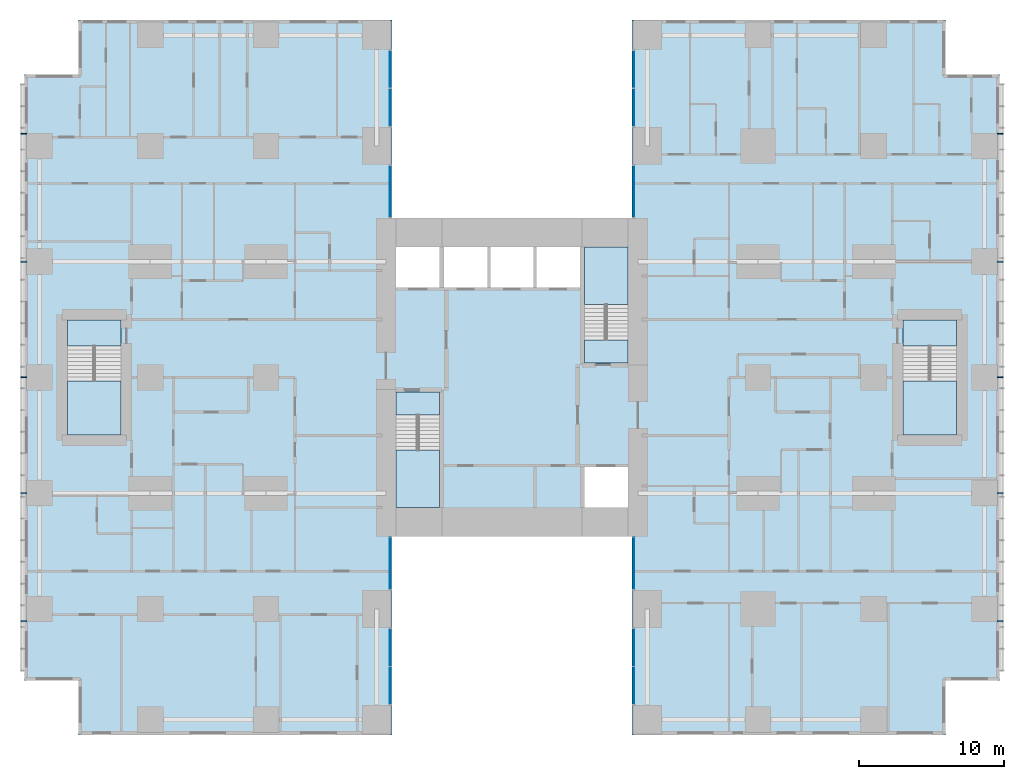
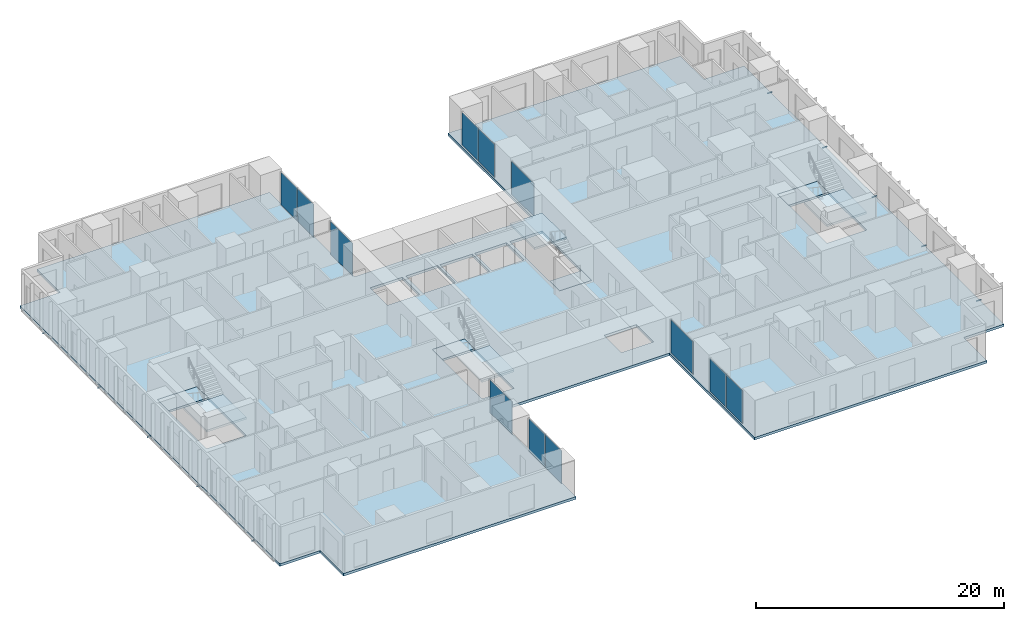
# One storey, part 7 of 20: 12 plates, 10 members, 9 slabs, 12 elements without a shape of their own.
"""IFC4 building model written with IfcOpenShell, lengths in metres."""

import ifcopenshell
import ifcopenshell.guid

model = None  # the IFC model being written
_history = None  # IfcOwnerHistory: only IFC2X3 demands one
_inside = {}  # id of a spatial element -> (the spatial element, [elements in it])
_under = {}  # id of a project, library or spatial element -> (it, [spatial elements below it])
_declared = {}  # id of a project -> (the project, [libraries it declares])
_typed = {}  # id of a type object -> (the type object, [elements of that type])
_made_of = {}  # id of a material, layer set ... -> (it, [elements and type objects made of it])


def new_model(schema):
    """Start an empty IFC model of exactly this schema.

    Asked for "IFC4X3", IfcOpenShell would pick the latest addendum, in which some entities
    have other attributes; the version numbers below select the first issue.
    IFC2X3 requires an IfcOwnerHistory on every rooted entity: one is made here for all.
    """
    global model, _history
    if schema == "IFC4X3":
        model = ifcopenshell.file(schema_version=(4, 3, 0, 0))
    else:
        model = ifcopenshell.file(schema=schema)
    _inside.clear()
    _under.clear()
    _declared.clear()
    _typed.clear()
    _made_of.clear()
    _history = None
    if model.schema == "IFC2X3":
        org = make("IfcOrganization", Name="unknown")
        user = make(
            "IfcPersonAndOrganization",
            ThePerson=make("IfcPerson", FamilyName="unknown"),
            TheOrganization=org,
        )
        app = make(
            "IfcApplication",
            ApplicationDeveloper=org,
            Version="unknown",
            ApplicationFullName="unknown",
            ApplicationIdentifier="unknown",
        )
        _history = make(
            "IfcOwnerHistory",
            OwningUser=user,
            OwningApplication=app,
            ChangeAction="ADDED",
            CreationDate=0,
        )
    return model


def make(cls, **values):
    """One entity of the class cls with the attributes given. An attribute that is None is left unset."""
    return model.create_entity(
        cls, **{name: value for name, value in values.items() if value is not None}
    )


def rooted(cls, **values):
    """An entity with a GlobalId (a new one), such as an element, a storey or a relation."""
    return make(cls, GlobalId=ifcopenshell.guid.new(), OwnerHistory=_history, **values)


def si_unit(unit_type, name, prefix=None):
    """IfcSIUnit, for example si_unit("LENGTHUNIT", "METRE", prefix="MILLI")."""
    return make("IfcSIUnit", UnitType=unit_type, Prefix=prefix, Name=name)


def assignment(units):
    """IfcUnitAssignment: the units of a project."""
    return None if units is None else make("IfcUnitAssignment", Units=units)


def point(xyz):
    """IfcCartesianPoint."""
    return None if xyz is None else make("IfcCartesianPoint", Coordinates=xyz)


def direction(xyz):
    """IfcDirection."""
    return None if xyz is None else make("IfcDirection", DirectionRatios=xyz)


def frame(location, z_axis=None, x_axis=None):
    """IfcAxis2Placement3D, a coordinate frame: its origin and axes. An axis left out is left unset."""
    return make(
        "IfcAxis2Placement3D",
        Location=point(location),
        Axis=direction(z_axis),
        RefDirection=direction(x_axis),
    )


def frame_2d(location, x_axis=None):
    """IfcAxis2Placement2D, a coordinate frame in the plane: its origin and x axis."""
    return make(
        "IfcAxis2Placement2D", Location=point(location), RefDirection=direction(x_axis)
    )


def origin():
    """The frame at (0, 0, 0) with its axes left unset."""
    return frame((0.0, 0.0, 0.0))


def origin_2d():
    """The frame at (0, 0) in the plane with its x axis left unset."""
    return frame_2d((0.0, 0.0))


def place(relative_to, where):
    """IfcLocalPlacement: puts the frame where relative to a parent placement (None: the world)."""
    return make(
        "IfcLocalPlacement", PlacementRelTo=relative_to, RelativePlacement=where
    )


def context(
    kind, dimensions, precision=None, world=None, true_north=None, identifier=None
):
    """IfcGeometricRepresentationContext, for example the 3D "Model" context."""
    return make(
        "IfcGeometricRepresentationContext",
        ContextIdentifier=identifier,
        ContextType=kind,
        CoordinateSpaceDimension=dimensions,
        Precision=precision,
        WorldCoordinateSystem=world,
        TrueNorth=true_north,
    )


def subcontext(parent, identifier, kind, view, scale=None):
    """IfcGeometricRepresentationSubContext, for example "Body" below "Model"."""
    return make(
        "IfcGeometricRepresentationSubContext",
        ContextIdentifier=identifier,
        ContextType=kind,
        ParentContext=parent,
        TargetScale=scale,
        TargetView=view,
    )


def project(units=None, contexts=None):
    """IfcProject with its units and contexts."""
    return rooted(
        "IfcProject",
        Name="project",
        RepresentationContexts=contexts,
        UnitsInContext=assignment(units),
    )


def spatial(cls, under=None, at=None, **own):
    """A site, building, storey or space (cls), placed at a placement, below another one or the project."""
    s = rooted(cls, ObjectPlacement=at, **own)
    if under is not None:
        _under.setdefault(under.id(), (under, []))[1].append(s)
    return s


def polyline(points):
    """IfcPolyline through the points."""
    return make("IfcPolyline", Points=[point(p) for p in points])


def profile(cls, at=None, kind="AREA", **sizes):
    """A parametric profile (cls). Its sizes go by their IFC names, for example OverallWidth=200.0."""
    return make(cls, ProfileType=kind, Position=at, **sizes)


def rectangle(**sizes):
    """IfcRectangleProfileDef."""
    return profile("IfcRectangleProfileDef", **sizes)


def hollow_rectangle(**sizes):
    """IfcRectangleHollowProfileDef."""
    return profile("IfcRectangleHollowProfileDef", **sizes)


def outline(outer, holes=None, kind="AREA"):
    """IfcArbitraryClosedProfileDef: a profile drawn as a closed curve; with holes, ...WithVoids."""
    if holes is None:
        return make("IfcArbitraryClosedProfileDef", ProfileType=kind, OuterCurve=outer)
    return make(
        "IfcArbitraryProfileDefWithVoids",
        ProfileType=kind,
        OuterCurve=outer,
        InnerCurves=holes,
    )


def extrude(swept, where, along, depth):
    """IfcExtrudedAreaSolid: the profile swept, set in the frame where, extruded along a direction by depth."""
    return make(
        "IfcExtrudedAreaSolid",
        SweptArea=swept,
        Position=where,
        ExtrudedDirection=direction(along),
        Depth=depth,
    )


def shape(context_of_items, identifier, shape_type, items):
    """IfcShapeRepresentation: the items that make up one representation, for example the "Body"."""
    return make(
        "IfcShapeRepresentation",
        ContextOfItems=context_of_items,
        RepresentationIdentifier=identifier,
        RepresentationType=shape_type,
        Items=items,
    )


def material(Name=None, Category=None):
    """IfcMaterial."""
    return make("IfcMaterial", Name=Name, Category=Category)


def layer(
    of_material, thickness, ventilated=None, Name=None, Category=None, Priority=None
):
    """IfcMaterialLayer: one layer of a wall or slab, of a material (None: an air gap)."""
    return make(
        "IfcMaterialLayer",
        Material=of_material,
        LayerThickness=thickness,
        IsVentilated=ventilated,
        Name=Name,
        Category=Category,
        Priority=Priority,
    )


def layer_set(layers, Name=None):
    """IfcMaterialLayerSet."""
    return make("IfcMaterialLayerSet", MaterialLayers=layers, LayerSetName=Name)


def material_profile(
    of_material, cross_section, Name=None, Category=None, Priority=None
):
    """IfcMaterialProfile: a cross section and its material."""
    return make(
        "IfcMaterialProfile",
        Name=Name,
        Material=of_material,
        Profile=cross_section,
        Priority=Priority,
        Category=Category,
    )


def profile_set(profiles, Name=None, composite=None):
    """IfcMaterialProfileSet."""
    return make(
        "IfcMaterialProfileSet",
        Name=Name,
        MaterialProfiles=profiles,
        CompositeProfile=composite,
    )


def made_of(thing, what):
    """Note that an element or type object is made of a material, layer set ...; save() writes the relation."""
    if what is not None:
        _made_of.setdefault(what.id(), (what, []))[1].append(thing)
    return thing


def type_object(cls, material=None, **own):
    """A type object (cls), such as IfcWallType, which elements share."""
    return made_of(rooted(cls, **own), material)


def element(
    cls,
    number,
    at=None,
    inside=None,
    cuts=None,
    type_object=None,
    material=None,
    context=None,
    identifier="Body",
    shape_type=None,
    held_by="IfcProductDefinitionShape",
    body=None,
    shapes=None,
    **own,
):
    """One element of the class cls, such as IfcWall. Its Tag is "e" and its number.

    at: its placement. inside: the storey or other place that contains it. cuts: it is an
    opening in that element (IfcRelVoidsElement). A single representation is given by context,
    identifier, shape_type and body (its items); several are given by shapes. held_by: the class
    of the entity that holds the representations. save() writes the other relations.
    """
    e = rooted(cls, Tag="e%d" % number, ObjectPlacement=at, **own)
    if body is not None:
        shapes = [shape(context, identifier, shape_type, body)]
    if shapes is not None:
        e.Representation = make(held_by, Representations=shapes)
    if inside is not None:
        _inside.setdefault(inside.id(), (inside, []))[1].append(e)
    if cuts is not None:
        rooted(
            "IfcRelVoidsElement", RelatingBuildingElement=cuts, RelatedOpeningElement=e
        )
    if type_object is not None:
        _typed.setdefault(type_object.id(), (type_object, []))[1].append(e)
    return made_of(e, material)


def aggregate(whole, parts):
    """IfcRelAggregates: a whole, such as a stair, and the parts it consists of."""
    return rooted("IfcRelAggregates", RelatingObject=whole, RelatedObjects=parts)


def save(model, path):
    """Write the relations noted so far, then the file.

    IfcRelAggregates (storeys below a building ...), IfcRelContainedInSpatialStructure (elements
    in a storey), IfcRelDefinesByType, IfcRelAssociatesMaterial and IfcRelDeclares: one each for
    every whole, place, type object, material and project.
    """
    for whole, parts in _under.values():
        aggregate(whole, parts)
    for where, things in _inside.values():
        rooted(
            "IfcRelContainedInSpatialStructure",
            RelatedElements=things,
            RelatingStructure=where,
        )
    for kind, things in _typed.values():
        rooted("IfcRelDefinesByType", RelatedObjects=things, RelatingType=kind)
    for what, things in _made_of.values():
        rooted("IfcRelAssociatesMaterial", RelatedObjects=things, RelatingMaterial=what)
    for by, libraries in _declared.values():
        rooted("IfcRelDeclares", RelatingContext=by, RelatedDefinitions=libraries)
    model.write(path)


model = new_model("IFC4")

# Units and contexts
model_context = context("Model", 3, precision=1e-05, world=origin(), true_north=direction((0.0, 1.0)))
body_context = subcontext(model_context, "Body", "Model", "MODEL_VIEW")
ifc_project = project(units=[si_unit("LENGTHUNIT", "METRE"), si_unit("AREAUNIT", "SQUARE_METRE"), si_unit("VOLUMEUNIT", "CUBIC_METRE"), si_unit("PLANEANGLEUNIT", "RADIAN"), si_unit("MASSUNIT", "GRAM", prefix="KILO")], contexts=[model_context])

# Site, building, storey
site_placement = place(None, origin())
site = spatial("IfcSite", under=ifc_project, at=site_placement, CompositionType="ELEMENT")
building_placement = place(site_placement, origin())
building = spatial("IfcBuilding", under=site, at=building_placement, Name="Cleftline Residences", CompositionType="ELEMENT")
storey_placement = place(building_placement, frame((0.0, 0.0, 196.60009765625)))
storey = spatial("IfcBuildingStorey", under=building, at=storey_placement, Name="L51", CompositionType="ELEMENT", Elevation=196.60009765625)

# Members
ifc_material_1 = material(Name="Steel S355, hot-dip galvanised", Category="steel")
ifc_material_profile = material_profile(ifc_material_1, hollow_rectangle(XDim=0.10009765625, YDim=0.10009765625, WallThickness=0.008056640625, InnerFilletRadius=0.008056640625, OuterFilletRadius=0.011962890625, at=origin_2d()))
ifc_profile_set = profile_set([ifc_material_profile], Name="Steel S355, hot-dip galvanised")
member_type = type_object("IfcMemberType", Name="BAGUETTE BRACKET SHS 100X100X8", PredefinedType="USERDEFINED", material=ifc_profile_set)
for number, where, z_axis, x_axis, name in (
    (1, (66.5, 7.14990234375, -0.150146484375), (1.0, 0.0, 0.0), (0.0, 1.0, 0.0), "Baguette bracket"),
    (2, (66.5, 16.0, -0.150146484375), (1.0, 0.0, 0.0), (0.0, 1.0, 0.0), "Baguette bracket"),
    (3, (66.5, 24.0, -0.150146484375), (1.0, 0.0, 0.0), (0.0, 1.0, 0.0), "Baguette bracket"),
    (4, (66.5, 32.0, -0.150146484375), (1.0, 0.0, 0.0), (0.0, 1.0, 0.0), "Baguette bracket"),
    (5, (66.5, 40.85009765625, -0.150146484375), (1.0, 0.0, 0.0), (0.0, 1.0, 0.0), "Baguette bracket"),
    (6, (-0.5, 40.85009765625, -0.150146484375), (-1.0, 0.0, 0.0), (0.0, -1.0, 0.0), "Baguette bracket"),
    (7, (-0.5, 32.0, -0.150146484375), (-1.0, 0.0, 0.0), (0.0, -1.0, 0.0), "Baguette bracket"),
    (8, (-0.5, 24.0, -0.150146484375), (-1.0, 0.0, 0.0), (0.0, -1.0, 0.0), "Baguette bracket"),
    (9, (-0.5, 16.0, -0.150146484375), (-1.0, 0.0, 0.0), (0.0, -1.0, 0.0), "Baguette bracket"),
    (10, (-0.5, 7.14990234375, -0.150146484375), (-1.0, 0.0, 0.0), (0.0, -1.0, 0.0), "Baguette bracket"),
):
    element("IfcMember", number, at=place(storey_placement, frame(where, z_axis=z_axis, x_axis=x_axis)), inside=storey, type_object=member_type, Name=name, ObjectType="BAGUETTE BRACKET", PredefinedType="USERDEFINED", context=body_context, shape_type="SweptSolid", body=[
        extrude(hollow_rectangle(XDim=0.10009765625, YDim=0.10009765625, WallThickness=0.008056640625, InnerFilletRadius=0.008056640625, OuterFilletRadius=0.011962890625, at=origin_2d()), origin(), (0.0, 0.0, 1.0), 0.449951171875),
    ])

# Curtain wall, plate
ifc_material_2 = material(Name="Aluminium framed curtain wall", Category="aluminium")
ifc_layer_1 = layer(ifc_material_2, 0.199951171875)
ifc_layer_set_1 = layer_set([ifc_layer_1], Name="CW1 CLEFT GLAZING")
curtain_wall_type = type_object("IfcCurtainWallType", Name="CW1 CLEFT GLAZING", PredefinedType="NOTDEFINED", material=ifc_layer_set_1)
curtain_wall_1_placement = place(storey_placement, origin())
curtain_wall_1 = element("IfcCurtainWall", 11, at=curtain_wall_1_placement, inside=storey, type_object=curtain_wall_type, Name="Curtain wall CW1", PredefinedType="NOTDEFINED")
ifc_material_3 = material(Name="Laminated clear glass", Category="glass")
ifc_layer_2 = layer(ifc_material_3, 0.028076171875)
ifc_layer_set_2 = layer_set([ifc_layer_2], Name="CW1 GLASS PANEL")
plate_type_1 = type_object("IfcPlateType", Name="CW1 GLASS PANEL", PredefinedType="CURTAIN_PANEL", material=ifc_layer_set_2)
plate_1_placement = place(storey_placement, frame((24.574951171875, 5.347412109375, 0.059814453125), z_axis=(0.0, 0.0, 1.0), x_axis=(0.0, 1.0, 0.0)))
plate_1 = element("IfcPlate", 12, at=plate_1_placement, type_object=plate_type_1, Name="CW1 panel 2.1", PredefinedType="CURTAIN_PANEL", context=body_context, shape_type="SweptSolid", body=[
    extrude(rectangle(XDim=2.5849609375, YDim=0.028076171875, at=origin_2d()), origin(), (0.0, 0.0, 1.0), 3.22998046875),
])

curtain_wall_2_placement = place(storey_placement, origin())
curtain_wall_2 = element("IfcCurtainWall", 13, at=curtain_wall_2_placement, inside=storey, type_object=curtain_wall_type, Name="Curtain wall CW1", PredefinedType="NOTDEFINED")
plate_2_placement = place(storey_placement, frame((41.425048828125, 5.347412109375, 0.059814453125), z_axis=(0.0, 0.0, 1.0), x_axis=(0.0, -1.0, 0.0)))
plate_2 = element("IfcPlate", 14, at=plate_2_placement, type_object=plate_type_1, Name="CW1 panel 1.1", PredefinedType="CURTAIN_PANEL", context=body_context, shape_type="SweptSolid", body=[
    extrude(rectangle(XDim=2.5849609375, YDim=0.028076171875, at=origin_2d()), origin(), (0.0, 0.0, 1.0), 3.22998046875),
])

curtain_wall_3_placement = place(storey_placement, origin())
curtain_wall_3 = element("IfcCurtainWall", 15, at=curtain_wall_3_placement, inside=storey, type_object=curtain_wall_type, Name="Curtain wall CW1", PredefinedType="NOTDEFINED")
plate_3_placement = place(storey_placement, frame((41.425048828125, 45.297607421875, 0.059814453125), z_axis=(0.0, 0.0, 1.0), x_axis=(0.0, -1.0, 0.0)))
plate_3 = element("IfcPlate", 16, at=plate_3_placement, type_object=plate_type_1, Name="CW1 panel 1.1", PredefinedType="CURTAIN_PANEL", context=body_context, shape_type="SweptSolid", body=[
    extrude(rectangle(XDim=2.5849609375, YDim=0.028076171875, at=origin_2d()), origin(), (0.0, 0.0, 1.0), 3.22998046875),
])

curtain_wall_4_placement = place(storey_placement, origin())
curtain_wall_4 = element("IfcCurtainWall", 17, at=curtain_wall_4_placement, inside=storey, type_object=curtain_wall_type, Name="Curtain wall CW1", PredefinedType="NOTDEFINED")
plate_4_placement = place(storey_placement, frame((24.574951171875, 45.297607421875, 0.059814453125), z_axis=(0.0, 0.0, 1.0), x_axis=(0.0, 1.0, 0.0)))
plate_4 = element("IfcPlate", 18, at=plate_4_placement, type_object=plate_type_1, Name="CW1 panel 2.1", PredefinedType="CURTAIN_PANEL", context=body_context, shape_type="SweptSolid", body=[
    extrude(rectangle(XDim=2.5849609375, YDim=0.028076171875, at=origin_2d()), origin(), (0.0, 0.0, 1.0), 3.22998046875),
])

# Plate
ifc_material_4 = material(Name="Insulated aluminium panel", Category="aluminium")
ifc_layer_3 = layer(ifc_material_4, 0.028076171875)
ifc_layer_set_3 = layer_set([ifc_layer_3], Name="CW1 INSULATED PANEL")
plate_type_2 = type_object("IfcPlateType", Name="CW1 INSULATED PANEL", PredefinedType="USERDEFINED", material=ifc_layer_set_3)
plate_5_placement = place(storey_placement, frame((24.574951171875, 2.702392578125, 0.059814453125), z_axis=(0.0, 0.0, 1.0), x_axis=(0.0, 1.0, 0.0)))
plate_5 = element("IfcPlate", 19, at=plate_5_placement, type_object=plate_type_2, Name="CW1 panel 1.1", ObjectType="INSULATED PANEL", PredefinedType="USERDEFINED", context=body_context, shape_type="SweptSolid", body=[
    extrude(rectangle(XDim=2.5849609375, YDim=0.028076171875, at=origin_2d()), origin(), (0.0, 0.0, 1.0), 3.22998046875),
])

aggregate(curtain_wall_1, [plate_5, plate_1])

# Curtain wall, plate
curtain_wall_5_placement = place(storey_placement, origin())
curtain_wall_5 = element("IfcCurtainWall", 20, at=curtain_wall_5_placement, inside=storey, type_object=curtain_wall_type, Name="Curtain wall CW1", PredefinedType="NOTDEFINED")
plate_6_placement = place(storey_placement, frame((24.574951171875, 11.14990234375, 0.059814453125), z_axis=(0.0, 0.0, 1.0), x_axis=(0.0, 1.0, 0.0)))
plate_6 = element("IfcPlate", 21, at=plate_6_placement, type_object=plate_type_2, Name="CW1 panel 1.1", ObjectType="INSULATED PANEL", PredefinedType="USERDEFINED", context=body_context, shape_type="SweptSolid", body=[
    extrude(rectangle(XDim=3.580078125, YDim=0.028076171875, at=origin_2d()), origin(), (0.0, 0.0, 1.0), 3.22998046875),
])
aggregate(curtain_wall_5, [plate_6])

curtain_wall_6_placement = place(storey_placement, origin())
curtain_wall_6 = element("IfcCurtainWall", 22, at=curtain_wall_6_placement, inside=storey, type_object=curtain_wall_type, Name="Curtain wall CW1", PredefinedType="NOTDEFINED")
plate_7_placement = place(storey_placement, frame((41.425048828125, 11.14990234375, 0.059814453125), z_axis=(0.0, 0.0, 1.0), x_axis=(0.0, -1.0, 0.0)))
plate_7 = element("IfcPlate", 23, at=plate_7_placement, type_object=plate_type_2, Name="CW1 panel 1.1", ObjectType="INSULATED PANEL", PredefinedType="USERDEFINED", context=body_context, shape_type="SweptSolid", body=[
    extrude(rectangle(XDim=3.580078125, YDim=0.028076171875, at=origin_2d()), origin(), (0.0, 0.0, 1.0), 3.22998046875),
])
aggregate(curtain_wall_6, [plate_7])

# Plate
plate_8_placement = place(storey_placement, frame((41.425048828125, 2.702392578125, 0.059814453125), z_axis=(0.0, 0.0, 1.0), x_axis=(0.0, -1.0, 0.0)))
plate_8 = element("IfcPlate", 24, at=plate_8_placement, type_object=plate_type_2, Name="CW1 panel 2.1", ObjectType="INSULATED PANEL", PredefinedType="USERDEFINED", context=body_context, shape_type="SweptSolid", body=[
    extrude(rectangle(XDim=2.5849609375, YDim=0.028076171875, at=origin_2d()), origin(), (0.0, 0.0, 1.0), 3.22998046875),
])

aggregate(curtain_wall_2, [plate_2, plate_8])

plate_9_placement = place(storey_placement, frame((41.425048828125, 42.652587890625, 0.059814453125), z_axis=(0.0, 0.0, 1.0), x_axis=(0.0, -1.0, 0.0)))
plate_9 = element("IfcPlate", 25, at=plate_9_placement, type_object=plate_type_2, Name="CW1 panel 2.1", ObjectType="INSULATED PANEL", PredefinedType="USERDEFINED", context=body_context, shape_type="SweptSolid", body=[
    extrude(rectangle(XDim=2.5849609375, YDim=0.028076171875, at=origin_2d()), origin(), (0.0, 0.0, 1.0), 3.22998046875),
])

aggregate(curtain_wall_3, [plate_3, plate_9])

# Curtain wall, plate
curtain_wall_7_placement = place(storey_placement, origin())
curtain_wall_7 = element("IfcCurtainWall", 26, at=curtain_wall_7_placement, inside=storey, type_object=curtain_wall_type, Name="Curtain wall CW1", PredefinedType="NOTDEFINED")
plate_10_placement = place(storey_placement, frame((41.425048828125, 36.85009765625, 0.059814453125), z_axis=(0.0, 0.0, 1.0), x_axis=(0.0, -1.0, 0.0)))
plate_10 = element("IfcPlate", 27, at=plate_10_placement, type_object=plate_type_2, Name="CW1 panel 1.1", ObjectType="INSULATED PANEL", PredefinedType="USERDEFINED", context=body_context, shape_type="SweptSolid", body=[
    extrude(rectangle(XDim=3.580078125, YDim=0.028076171875, at=origin_2d()), origin(), (0.0, 0.0, 1.0), 3.22998046875),
])
aggregate(curtain_wall_7, [plate_10])

curtain_wall_8_placement = place(storey_placement, origin())
curtain_wall_8 = element("IfcCurtainWall", 28, at=curtain_wall_8_placement, inside=storey, type_object=curtain_wall_type, Name="Curtain wall CW1", PredefinedType="NOTDEFINED")
plate_11_placement = place(storey_placement, frame((24.574951171875, 36.85009765625, 0.059814453125), z_axis=(0.0, 0.0, 1.0), x_axis=(0.0, 1.0, 0.0)))
plate_11 = element("IfcPlate", 29, at=plate_11_placement, type_object=plate_type_2, Name="CW1 panel 1.1", ObjectType="INSULATED PANEL", PredefinedType="USERDEFINED", context=body_context, shape_type="SweptSolid", body=[
    extrude(rectangle(XDim=3.580078125, YDim=0.028076171875, at=origin_2d()), origin(), (0.0, 0.0, 1.0), 3.22998046875),
])
aggregate(curtain_wall_8, [plate_11])

# Plate
plate_12_placement = place(storey_placement, frame((24.574951171875, 42.652587890625, 0.059814453125), z_axis=(0.0, 0.0, 1.0), x_axis=(0.0, 1.0, 0.0)))
plate_12 = element("IfcPlate", 30, at=plate_12_placement, type_object=plate_type_2, Name="CW1 panel 1.1", ObjectType="INSULATED PANEL", PredefinedType="USERDEFINED", context=body_context, shape_type="SweptSolid", body=[
    extrude(rectangle(XDim=2.5849609375, YDim=0.028076171875, at=origin_2d()), origin(), (0.0, 0.0, 1.0), 3.22998046875),
])

aggregate(curtain_wall_4, [plate_12, plate_4])

# Slab
ifc_material_5 = material(Name="Concrete B45", Category="concrete")
ifc_layer_4 = layer(ifc_material_5, 0.25)
ifc_layer_set_4 = layer_set([ifc_layer_4], Name="FLOOR SLAB 250")
slab_type_1 = type_object("IfcSlabType", Name="FLOOR SLAB 250", PredefinedType="FLOOR", material=ifc_layer_set_4)
slab_1_placement = place(storey_placement, frame((0.0, 0.0, -0.25)))
element("IfcSlab", 31, at=slab_1_placement, inside=storey, type_object=slab_type_1, Name="Floor slab L51", PredefinedType="FLOOR", context=body_context, shape_type="SweptSolid", body=[
    extrude(outline(polyline([(24.699951171875, 13.0), (41.300048828125, 13.0), (41.300048828125, -0.699951171875), (62.949951171875, -0.699951171875), (62.949951171875, 3.050048828125), (66.699951171875, 3.050048828125), (66.699951171875, 44.949951171875), (62.949951171875, 44.949951171875), (62.949951171875, 48.699951171875), (41.300048828125, 48.699951171875), (41.300048828125, 35.0), (24.699951171875, 35.0), (24.699951171875, 48.699951171875), (3.050048828125, 48.699951171875), (3.050048828125, 44.949951171875), (-0.699951171875, 44.949951171875), (-0.699951171875, 3.050048828125), (3.050048828125, 3.050048828125), (3.050048828125, -0.699951171875), (24.699951171875, -0.699951171875), (24.699951171875, 13.0)]), holes=[polyline([(28.0, 15.0), (28.0, 23.0), (25.0, 23.0), (25.0, 15.0), (28.0, 15.0)]), polyline([(41.0, 25.0), (41.0, 33.0), (38.0, 33.0), (38.0, 25.0), (41.0, 25.0)]), polyline([(28.0, 30.199951171875), (28.0, 33.0), (25.0, 33.0), (25.0, 30.199951171875), (28.0, 30.199951171875)]), polyline([(41.0, 15.0), (41.0, 17.800048828125), (38.0, 17.800048828125), (38.0, 15.0), (41.0, 15.0)]), polyline([(31.300048828125, 30.199951171875), (31.300048828125, 33.0), (28.300048828125, 33.0), (28.300048828125, 30.199951171875), (31.300048828125, 30.199951171875)]), polyline([(34.5, 30.199951171875), (34.5, 33.0), (31.5, 33.0), (31.5, 30.199951171875), (34.5, 30.199951171875)]), polyline([(37.699951171875, 30.199951171875), (37.699951171875, 33.0), (34.699951171875, 33.0), (34.699951171875, 30.199951171875), (37.699951171875, 30.199951171875)]), polyline([(63.72509765625, 20.02490234375), (63.72509765625, 27.97509765625), (60.02490234375, 27.97509765625), (60.02490234375, 20.02490234375), (63.72509765625, 20.02490234375)]), polyline([(5.97509765625, 20.02490234375), (5.97509765625, 27.97509765625), (2.27490234375, 27.97509765625), (2.27490234375, 20.02490234375), (5.97509765625, 20.02490234375)])]), origin(), (0.0, 0.0, 1.0), 0.25),
])

# Stair, slabs
ifc_material_6 = material(Name="Concrete B45, stone treads", Category="masonry")
stair_type_1 = type_object("IfcStairType", Name="STAIR A 1450 WIDE 180 RISER", PredefinedType="HALF_TURN_STAIR", material=ifc_material_6)
stair_1_placement = place(storey_placement, origin())
stair_1 = element("IfcStair", 32, at=stair_1_placement, inside=storey, type_object=stair_type_1, Name="Stair A L51", PredefinedType="HALF_TURN_STAIR")
ifc_material_7 = material(Name="Concrete B45", Category="concrete")
ifc_layer_5 = layer(ifc_material_7, 0.199951171875)
ifc_layer_set_5 = layer_set([ifc_layer_5], Name="STAIR LANDING 200")
slab_type_2 = type_object("IfcSlabType", Name="STAIR LANDING 200", PredefinedType="LANDING", material=ifc_layer_set_5)
slab_2_placement = place(storey_placement, frame((0.0, 0.0, -0.2001953125)))
slab_2 = element("IfcSlab", 33, at=slab_2_placement, type_object=slab_type_2, Name="ST-A landing 1", PredefinedType="LANDING", context=body_context, shape_type="SweptSolid", body=[
    extrude(outline(polyline([(25.0, 21.39990234375), (28.0, 21.39990234375), (28.0, 23.0), (25.0, 23.0), (25.0, 21.39990234375)])), origin(), (0.0, 0.0, 1.0), 0.2001953125),
])
slab_3_placement = place(storey_placement, frame((0.0, 0.0, 1.599853515625)))
slab_3 = element("IfcSlab", 34, at=slab_3_placement, type_object=slab_type_2, Name="ST-A landing 2", PredefinedType="LANDING", context=body_context, shape_type="SweptSolid", body=[
    extrude(outline(polyline([(25.0, 15.0), (28.0, 15.0), (28.0, 18.969970703125), (25.0, 18.969970703125), (25.0, 15.0)])), origin(), (0.0, 0.0, 1.0), 0.199951171875),
])
aggregate(stair_1, [slab_2, slab_3])

ifc_material_8 = material(Name="Concrete B45, stone treads", Category="masonry")
stair_type_2 = type_object("IfcStairType", Name="STAIR B 1450 WIDE 180 RISER", PredefinedType="HALF_TURN_STAIR", material=ifc_material_8)
stair_2_placement = place(storey_placement, origin())
stair_2 = element("IfcStair", 35, at=stair_2_placement, inside=storey, type_object=stair_type_2, Name="Stair B L51", PredefinedType="HALF_TURN_STAIR")
slab_4_placement = place(storey_placement, frame((0.0, 0.0, -0.2001953125)))
slab_4 = element("IfcSlab", 36, at=slab_4_placement, type_object=slab_type_2, Name="ST-B landing 1", PredefinedType="LANDING", context=body_context, shape_type="SweptSolid", body=[
    extrude(outline(polyline([(38.0, 25.0), (41.0, 25.0), (41.0, 26.60009765625), (38.0, 26.60009765625), (38.0, 25.0)])), origin(), (0.0, 0.0, 1.0), 0.2001953125),
])
slab_5_placement = place(storey_placement, frame((0.0, 0.0, 1.599853515625)))
slab_5 = element("IfcSlab", 37, at=slab_5_placement, type_object=slab_type_2, Name="ST-B landing 2", PredefinedType="LANDING", context=body_context, shape_type="SweptSolid", body=[
    extrude(outline(polyline([(38.0, 29.030029296875), (41.0, 29.030029296875), (41.0, 33.0), (38.0, 33.0), (38.0, 29.030029296875)])), origin(), (0.0, 0.0, 1.0), 0.199951171875),
])
aggregate(stair_2, [slab_4, slab_5])

ifc_material_9 = material(Name="Concrete B45, stone treads", Category="masonry")
stair_type_3 = type_object("IfcStairType", Name="STAIR E 1800 WIDE 180 RISER", PredefinedType="HALF_TURN_STAIR", material=ifc_material_9)
stair_3_placement = place(storey_placement, origin())
stair_3 = element("IfcStair", 38, at=stair_3_placement, inside=storey, type_object=stair_type_3, Name="Stair E L51", PredefinedType="HALF_TURN_STAIR")
slab_6_placement = place(storey_placement, frame((0.0, 0.0, -0.2001953125)))
slab_6 = element("IfcSlab", 39, at=slab_6_placement, type_object=slab_type_2, Name="ST-E landing 1", PredefinedType="LANDING", context=body_context, shape_type="SweptSolid", body=[
    extrude(outline(polyline([(60.02490234375, 26.175048828125), (63.72509765625, 26.175048828125), (63.72509765625, 27.97509765625), (60.02490234375, 27.97509765625), (60.02490234375, 26.175048828125)])), origin(), (0.0, 0.0, 1.0), 0.2001953125),
])
slab_7_placement = place(storey_placement, frame((0.0, 0.0, 1.599853515625)))
slab_7 = element("IfcSlab", 40, at=slab_7_placement, type_object=slab_type_2, Name="ST-E landing 2", PredefinedType="LANDING", context=body_context, shape_type="SweptSolid", body=[
    extrude(outline(polyline([(60.02490234375, 20.02490234375), (63.72509765625, 20.02490234375), (63.72509765625, 23.7451171875), (60.02490234375, 23.7451171875), (60.02490234375, 20.02490234375)])), origin(), (0.0, 0.0, 1.0), 0.199951171875),
])
aggregate(stair_3, [slab_6, slab_7])

ifc_material_10 = material(Name="Concrete B45, stone treads", Category="masonry")
stair_type_4 = type_object("IfcStairType", Name="STAIR W 1800 WIDE 180 RISER", PredefinedType="HALF_TURN_STAIR", material=ifc_material_10)
stair_4_placement = place(storey_placement, origin())
stair_4 = element("IfcStair", 41, at=stair_4_placement, inside=storey, type_object=stair_type_4, Name="Stair W L51", PredefinedType="HALF_TURN_STAIR")
slab_8_placement = place(storey_placement, frame((0.0, 0.0, -0.2001953125)))
slab_8 = element("IfcSlab", 42, at=slab_8_placement, type_object=slab_type_2, Name="ST-W landing 1", PredefinedType="LANDING", context=body_context, shape_type="SweptSolid", body=[
    extrude(outline(polyline([(2.27490234375, 26.175048828125), (5.97509765625, 26.175048828125), (5.97509765625, 27.97509765625), (2.27490234375, 27.97509765625), (2.27490234375, 26.175048828125)])), origin(), (0.0, 0.0, 1.0), 0.2001953125),
])
slab_9_placement = place(storey_placement, frame((0.0, 0.0, 1.599853515625)))
slab_9 = element("IfcSlab", 43, at=slab_9_placement, type_object=slab_type_2, Name="ST-W landing 2", PredefinedType="LANDING", context=body_context, shape_type="SweptSolid", body=[
    extrude(outline(polyline([(2.27490234375, 20.02490234375), (5.97509765625, 20.02490234375), (5.97509765625, 23.7451171875), (2.27490234375, 23.7451171875), (2.27490234375, 20.02490234375)])), origin(), (0.0, 0.0, 1.0), 0.199951171875),
])
aggregate(stair_4, [slab_8, slab_9])

save(model, "model.ifc")
